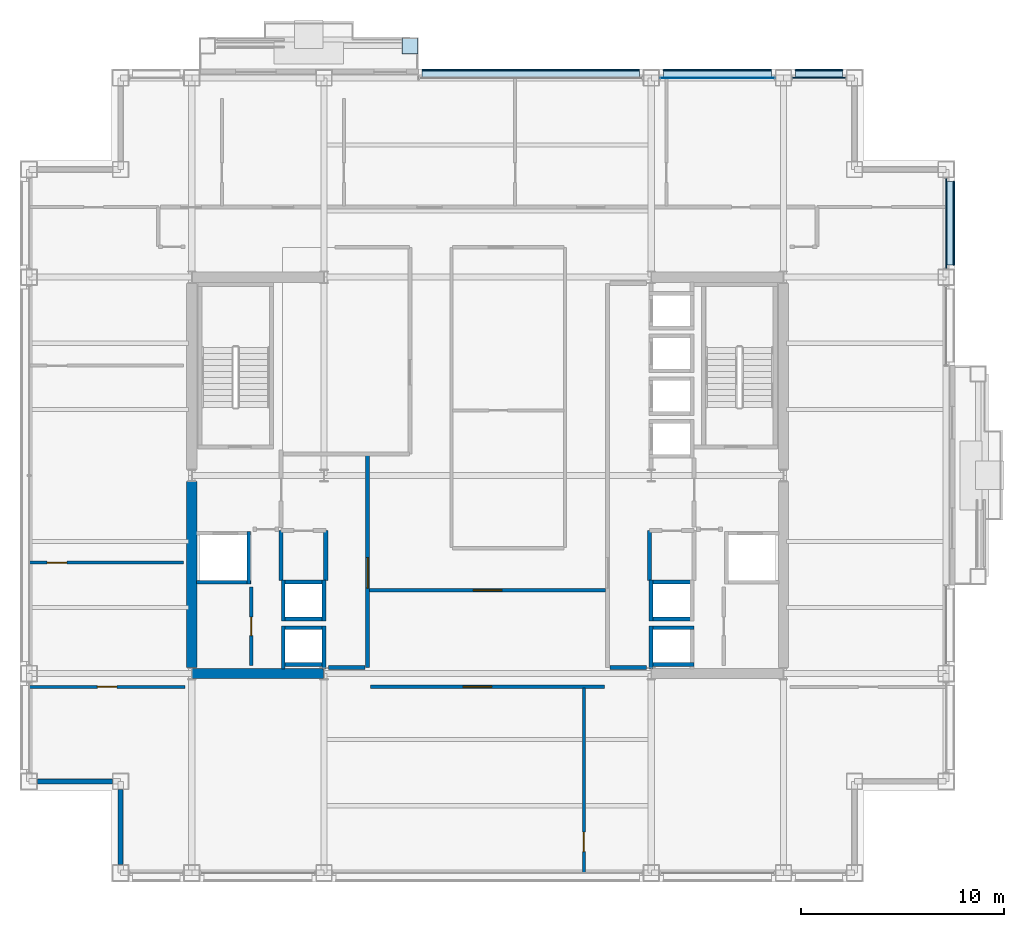
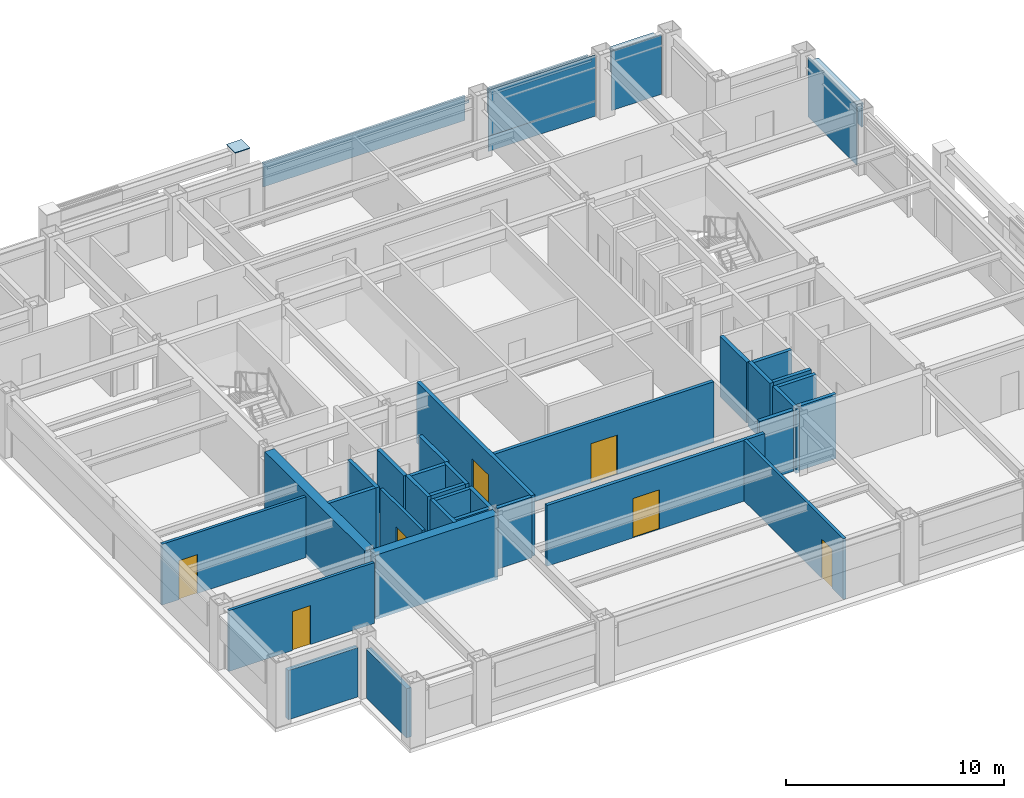
# One storey, part 24 of 29: 32 walls, 13 plates, 7 doors, 7 openings, 3 elements without a shape of their own.
"""IFC4 building model written with IfcOpenShell, lengths in metres."""

from ifc_helpers import new_model, si_unit, direction, frame, frame_2d, origin, origin_2d, place, context, subcontext, project, spatial, rectangle, extrude, material, layer, layer_set, type_object, element, fill, aggregate, save


model = new_model("IFC4")

# Units and contexts
model_context = context("Model", 3, precision=1e-05, world=origin(), true_north=direction((0.0, 1.0)))
body_context = subcontext(model_context, "Body", "Model", "MODEL_VIEW")
ifc_project = project(units=[si_unit("LENGTHUNIT", "METRE"), si_unit("AREAUNIT", "SQUARE_METRE"), si_unit("VOLUMEUNIT", "CUBIC_METRE"), si_unit("PLANEANGLEUNIT", "RADIAN"), si_unit("MASSUNIT", "GRAM", prefix="KILO")], contexts=[model_context])

# Site, building, storey
site_placement = place(None, origin())
site = spatial("IfcSite", under=ifc_project, at=site_placement, CompositionType="ELEMENT")
building_placement = place(site_placement, origin())
building = spatial("IfcBuilding", under=site, at=building_placement, Name="Brelmoor Portico Tower", CompositionType="ELEMENT")
storey_placement = place(building_placement, frame((0.0, 0.0, 138.60009765625)))
storey = spatial("IfcBuildingStorey", under=building, at=storey_placement, Name="L36", CompositionType="ELEMENT", Elevation=138.60009765625)

# Plate
ifc_material_1 = material(Name="Steel Q355B", Category="steel")
ifc_layer_1 = layer(ifc_material_1, 0.044921875)
ifc_layer_set_1 = layer_set([ifc_layer_1], Name="Steel Q355B")
plate_type_1 = type_object("IfcPlateType", Name="PT-CAP-650", PredefinedType="SHEET", material=ifc_layer_set_1)
plate_1_placement = place(storey_placement, frame((-3.820068359375, 21.1298828125, 3.599853515625), z_axis=(0.0, 0.0, 1.0), x_axis=(1.0, 0.0, 0.0)))
element("IfcPlate", 1, at=plate_1_placement, inside=storey, type_object=plate_type_1, Name="L36 Proud Picture-Frame Pier PFJ-N2 Welded Head Cap Plate", PredefinedType="SHEET", context=body_context, shape_type="SweptSolid", body=[
    extrude(rectangle(XDim=0.7900390625, YDim=0.7900390625, at=origin_2d()), origin(), (0.0, 0.0, 1.0), 0.0400390625),
])

# Curtain wall, plates
ifc_material_2 = material(Name="Anodised Aluminium Alloy 6063-T6", Category="aluminium")
ifc_layer_2 = layer(ifc_material_2, 0.179931640625)
ifc_layer_set_2 = layer_set([ifc_layer_2], Name="Anodised Aluminium Alloy 6063-T6")
curtain_wall_type_1 = type_object("IfcCurtainWallType", Name="CW-TOWER-Z2", PredefinedType="NOTDEFINED", material=ifc_layer_set_2)
curtain_wall_1_placement = place(storey_placement, origin())
curtain_wall_1 = element("IfcCurtainWall", 2, at=curtain_wall_1_placement, inside=storey, type_object=curtain_wall_type_1, Name="L36 Curtain Wall CW-L36-2R-2", PredefinedType="NOTDEFINED")
ifc_material_3 = material(Name="Double-Silver Low-E Insulated Glazing", Category="glass")
ifc_layer_3 = layer(ifc_material_3, 0.035888671875)
ifc_layer_set_3 = layer_set([ifc_layer_3], Name="Double-Silver Low-E Insulated Glazing")
plate_type_2 = type_object("IfcPlateType", Name="PT-CW-GLASS", PredefinedType="CURTAIN_PANEL", material=ifc_layer_set_3)
plate_2_placement = place(storey_placement, frame((11.300048828125, 19.550048828125, 0.85009765625), z_axis=(0.0, 0.0, 1.0), x_axis=(1.0, 0.0, 0.0)))
plate_2 = element("IfcPlate", 3, at=plate_2_placement, type_object=plate_type_2, Name="CW-L36-2R-2 Vision Glass Panel 00", PredefinedType="CURTAIN_PANEL", context=body_context, shape_type="SweptSolid", body=[
    extrude(rectangle(XDim=5.64990234375, YDim=0.035888671875, at=origin_2d()), origin(), (0.0, 0.0, 1.0), 2.550048828125),
])
ifc_material_4 = material(Name="Pale Champagne Anodised Aluminium Panel", Category="aluminium")
ifc_layer_4 = layer(ifc_material_4, 0.050048828125)
ifc_layer_set_4 = layer_set([ifc_layer_4], Name="Pale Champagne Anodised Aluminium Panel")
plate_type_3 = type_object("IfcPlateType", Name="PT-CW-SPANDREL", PredefinedType="SHEET", material=ifc_layer_set_4)
plate_3_placement = place(storey_placement, frame((11.300048828125, 19.550048828125, -0.000244140625), z_axis=(0.0, 0.0, 1.0), x_axis=(1.0, 0.0, 0.0)))
plate_3 = element("IfcPlate", 4, at=plate_3_placement, type_object=plate_type_3, Name="CW-L36-2R-2 Spandrel Panel 00", PredefinedType="SHEET", context=body_context, shape_type="SweptSolid", body=[
    extrude(rectangle(XDim=5.64990234375, YDim=0.050048828125, at=origin_2d()), origin(), (0.0, 0.0, 1.0), 0.85009765625),
])
aggregate(curtain_wall_1, [plate_3, plate_2])

# Curtain wall, plate
ifc_layer_5 = layer(ifc_material_2, 0.179931640625)
ifc_layer_set_5 = layer_set([ifc_layer_5], Name="Anodised Aluminium Alloy 6063-T6")
curtain_wall_type_2 = type_object("IfcCurtainWallType", Name="CW-TOWER-Z2-XB", PredefinedType="NOTDEFINED", material=ifc_layer_set_5)
curtain_wall_2_placement = place(storey_placement, origin())
curtain_wall_2 = element("IfcCurtainWall", 5, at=curtain_wall_2_placement, inside=storey, type_object=curtain_wall_type_2, Name="L36 Curtain Wall CW-L36-2R-3", PredefinedType="NOTDEFINED")
plate_4_placement = place(storey_placement, frame((16.300048828125, 19.550048828125, -0.000244140625), z_axis=(0.0, 0.0, 1.0), x_axis=(1.0, 0.0, 0.0)))
plate_4 = element("IfcPlate", 6, at=plate_4_placement, type_object=plate_type_3, Name="CW-L36-2R-3 Spandrel Panel 00", PredefinedType="SHEET", context=body_context, shape_type="SweptSolid", body=[
    extrude(rectangle(XDim=2.64990234375, YDim=0.050048828125, at=origin_2d()), origin(), (0.0, 0.0, 1.0), 3.330078125),
])
aggregate(curtain_wall_2, [plate_4])

curtain_wall_3_placement = place(storey_placement, origin())
curtain_wall_3 = element("IfcCurtainWall", 7, at=curtain_wall_3_placement, inside=storey, type_object=curtain_wall_type_2, Name="L36 Curtain Wall CW-L36-4R-2", PredefinedType="NOTDEFINED")
plate_5_placement = place(storey_placement, frame((22.550048828125, 12.39990234375, -0.000244140625), z_axis=(0.0, 0.0, 1.0), x_axis=(0.0, 1.0, 0.0)))
plate_5 = element("IfcPlate", 8, at=plate_5_placement, type_object=plate_type_3, Name="CW-L36-4R-2 Spandrel Panel 00", PredefinedType="SHEET", context=body_context, shape_type="SweptSolid", body=[
    extrude(rectangle(XDim=4.449951171875, YDim=0.050048828125, at=origin_2d()), origin(), (0.0, 0.0, 1.0), 3.330078125),
])
aggregate(curtain_wall_3, [plate_5])

# Plates
ifc_material_5 = material(Name="Powder-Coated Aluminium Shuttered Jalousie Louvre", Category="aluminium")
ifc_layer_6 = layer(ifc_material_5, 0.06005859375)
ifc_layer_set_6 = layer_set([ifc_layer_6], Name="Powder-Coated Aluminium Shuttered Jalousie Louvre")
plate_type_4 = type_object("IfcPlateType", Name="PT-JALOUSIE-SHUTTER", PredefinedType="SHEET", material=ifc_layer_set_6)
plate_6_placement = place(storey_placement, frame((2.1201171875, 19.929931640625, 1.8740234375), z_axis=(0.0, 0.0, 1.0), x_axis=(1.0, 0.0, 0.0)))
element("IfcPlate", 9, at=plate_6_placement, inside=storey, type_object=plate_type_4, Name="CW-L36-2R-1 Perforated Jalousie Solar Screen", PredefinedType="SHEET", context=body_context, shape_type="SweptSolid", body=[
    extrude(rectangle(XDim=10.679931640625, YDim=0.06494140625, at=origin_2d()), origin(), (0.0, 0.0, 1.0), 1.325927734375),
])
plate_7_placement = place(storey_placement, frame((11.300048828125, 19.929931640625, 1.8740234375), z_axis=(0.0, 0.0, 1.0), x_axis=(1.0, 0.0, 0.0)))
element("IfcPlate", 10, at=plate_7_placement, inside=storey, type_object=plate_type_4, Name="CW-L36-2R-2 Perforated Jalousie Solar Screen", PredefinedType="SHEET", context=body_context, shape_type="SweptSolid", body=[
    extrude(rectangle(XDim=5.320068359375, YDim=0.06494140625, at=origin_2d()), origin(), (0.0, 0.0, 1.0), 1.325927734375),
])
plate_8_placement = place(storey_placement, frame((16.300048828125, 19.929931640625, 1.8740234375), z_axis=(0.0, 0.0, 1.0), x_axis=(1.0, 0.0, 0.0)))
element("IfcPlate", 11, at=plate_8_placement, inside=storey, type_object=plate_type_4, Name="CW-L36-2R-3 Perforated Jalousie Solar Screen", PredefinedType="SHEET", context=body_context, shape_type="SweptSolid", body=[
    extrude(rectangle(XDim=2.320068359375, YDim=0.06494140625, at=origin_2d()), origin(), (0.0, 0.0, 1.0), 1.325927734375),
])
plate_9_placement = place(storey_placement, frame((22.929931640625, 12.39990234375, 1.8740234375), z_axis=(0.0, 0.0, 1.0), x_axis=(0.0, 1.0, 0.0)))
element("IfcPlate", 12, at=plate_9_placement, inside=storey, type_object=plate_type_4, Name="CW-L36-4R-2 Perforated Jalousie Solar Screen", PredefinedType="SHEET", context=body_context, shape_type="SweptSolid", body=[
    extrude(rectangle(XDim=4.1201171875, YDim=0.06494140625, at=origin_2d()), origin(), (0.0, 0.0, 1.0), 1.325927734375),
])
ifc_material_6 = material(Name="Pale Champagne Perforated Aluminium Solar Screen", Category="aluminium")
ifc_layer_7 = layer(ifc_material_6, 0.054931640625)
ifc_layer_set_7 = layer_set([ifc_layer_7], Name="Pale Champagne Perforated Aluminium Solar Screen")
plate_type_5 = type_object("IfcPlateType", Name="PT-SOLAR-LOUVRE", PredefinedType="SHEET", material=ifc_layer_set_7)
plate_10_placement = place(storey_placement, frame((2.1201171875, 19.760009765625, 3.08984375), z_axis=(0.0, 0.0, 1.0), x_axis=(1.0, 0.0, 0.0)))
element("IfcPlate", 13, at=plate_10_placement, inside=storey, type_object=plate_type_5, Name="CW-L36-2R-1 Caribbean Brise-Soleil Solar Screen", PredefinedType="SHEET", context=body_context, shape_type="SweptSolid", body=[
    extrude(rectangle(XDim=10.679931640625, YDim=0.4599609375, at=origin_2d()), origin(), (0.0, 0.0, 1.0), 0.139892578125),
])
plate_11_placement = place(storey_placement, frame((11.300048828125, 19.760009765625, 3.08984375), z_axis=(0.0, 0.0, 1.0), x_axis=(1.0, 0.0, 0.0)))
element("IfcPlate", 14, at=plate_11_placement, inside=storey, type_object=plate_type_5, Name="CW-L36-2R-2 Caribbean Brise-Soleil Solar Screen", PredefinedType="SHEET", context=body_context, shape_type="SweptSolid", body=[
    extrude(rectangle(XDim=5.320068359375, YDim=0.4599609375, at=origin_2d()), origin(), (0.0, 0.0, 1.0), 0.139892578125),
])
plate_12_placement = place(storey_placement, frame((16.300048828125, 19.760009765625, 3.08984375), z_axis=(0.0, 0.0, 1.0), x_axis=(1.0, 0.0, 0.0)))
element("IfcPlate", 15, at=plate_12_placement, inside=storey, type_object=plate_type_5, Name="CW-L36-2R-3 Caribbean Brise-Soleil Solar Screen", PredefinedType="SHEET", context=body_context, shape_type="SweptSolid", body=[
    extrude(rectangle(XDim=2.320068359375, YDim=0.4599609375, at=origin_2d()), origin(), (0.0, 0.0, 1.0), 0.139892578125),
])
plate_13_placement = place(storey_placement, frame((22.760009765625, 12.39990234375, 3.08984375), z_axis=(0.0, 0.0, 1.0), x_axis=(0.0, 1.0, 0.0)))
element("IfcPlate", 16, at=plate_13_placement, inside=storey, type_object=plate_type_5, Name="CW-L36-4R-2 Caribbean Brise-Soleil Solar Screen", PredefinedType="SHEET", context=body_context, shape_type="SweptSolid", body=[
    extrude(rectangle(XDim=4.1201171875, YDim=0.4599609375, at=origin_2d()), origin(), (0.0, 0.0, 1.0), 0.139892578125),
])

# Walls
ifc_material_7 = material(Name="Concrete C60", Category="concrete")
ifc_layer_8 = layer(ifc_material_7, 0.5)
ifc_layer_set_8 = layer_set([ifc_layer_8], Name="Concrete C60")
wall_type_1 = type_object("IfcWallType", Name="WL-CORE-500", PredefinedType="SHEAR", material=ifc_layer_set_8)
wall_1_placement = place(storey_placement, frame((-14.530029296875, -9.75, -0.2001953125), z_axis=(0.0, 0.0, 1.0), x_axis=(1.0, 0.0, 0.0)))
element("IfcWall", 17, at=wall_1_placement, inside=storey, type_object=wall_type_1, Name="L36 WC South Shear Wall", PredefinedType="SHEAR", context=body_context, shape_type="SweptSolid", body=[
    extrude(rectangle(XDim=6.4599609375, YDim=0.5, at=frame_2d((3.22998046875, 0.0))), origin(), (0.0, 0.0, 1.0), 3.60009765625),
])
wall_2_placement = place(storey_placement, frame((-14.550048828125, -9.449951171875, -0.2001953125), z_axis=(0.0, 0.0, 1.0), x_axis=(0.0, 1.0, 0.0)))
element("IfcWall", 18, at=wall_2_placement, inside=storey, type_object=wall_type_1, Name="L36 WC Outer South Shear Wall", PredefinedType="SHEAR", context=body_context, shape_type="SweptSolid", body=[
    extrude(rectangle(XDim=9.14990234375, YDim=0.5, at=frame_2d((4.574951171875, 0.0))), origin(), (0.0, 0.0, 1.0), 3.60009765625),
])
ifc_material_8 = material(Name="Precast Concrete C40 Insulated Facade Wall", Category="concrete")
ifc_layer_9 = layer(ifc_material_8, 0.25)
ifc_layer_set_9 = layer_set([ifc_layer_9], Name="Precast Concrete C40 Insulated Facade Wall")
wall_type_2 = type_object("IfcWallType", Name="WL-EXT-250", PredefinedType="STANDARD", material=ifc_layer_set_9)
for number, where, z_axis, x_axis, name in (
    (19, (-22.139892578125, -15.050048828125, 0.0), (0.0, 0.0, 1.0), (1.0, 0.0, 0.0), "L36 Corner Notch Facade Wall NSWH1"),
    (20, (-18.050048828125, -19.139892578125, 0.0), (0.0, 0.0, 1.0), (0.0, 1.0, 0.0), "L36 Corner Notch Facade Wall NSWV1"),
):
    element("IfcWall", number, at=place(storey_placement, frame(where, z_axis=z_axis, x_axis=x_axis)), inside=storey, type_object=wall_type_2, Name=name, PredefinedType="STANDARD", context=body_context, shape_type="SweptSolid", body=[
        extrude(rectangle(XDim=3.679931640625, YDim=0.25, at=frame_2d((1.83984375, 0.0))), origin(), (0.0, 0.0, 1.0), 2.75),
    ])

# Wall, opening, door
ifc_material_9 = material(Name="Wet-Area Moisture-Resistant Partition", Category="gypsum")
ifc_layer_10 = layer(ifc_material_9, 0.14990234375)
ifc_layer_set_10 = layer_set([ifc_layer_10], Name="Wet-Area Moisture-Resistant Partition")
wall_type_3 = type_object("IfcWallType", Name="WL-PART-150", PredefinedType="PARTITIONING", material=ifc_layer_set_10)
wall_3_placement = place(storey_placement, frame((4.73486328125, -19.56005859375, 0.0), z_axis=(0.0, 0.0, 1.0), x_axis=(0.0, 1.0, 0.0)))
wall_3 = element("IfcWall", 21, at=wall_3_placement, inside=storey, type_object=wall_type_3, Name="L36 South Suite Partition 1", PredefinedType="PARTITIONING", context=body_context, shape_type="SweptSolid", body=[
    extrude(rectangle(XDim=9.10009765625, YDim=0.14990234375, at=frame_2d((4.550048828125, 0.0))), origin(), (0.0, 0.0, 1.0), 3.39990234375),
])
opening_1_placement = place(wall_3_placement, frame((1.050048828125, 0.0, 0.0)))
opening_1 = element("IfcOpeningElement", 22, at=opening_1_placement, cuts=wall_3, Name="Opening D-IN2", PredefinedType="OPENING", context=body_context, shape_type="SweptSolid", body=[
    extrude(rectangle(XDim=0.9599609375, YDim=2.179931640625, at=frame_2d((0.47998046875, 1.08984375))), frame((0.0, 0.0849609375, 0.0), z_axis=(0.0, -1.0, 0.0), x_axis=(1.0, 0.0, 0.0)), (0.0, 0.0, 1.0), 0.169921875),
])
ifc_material_10 = material(Name="Lacquered Timber Suite Door", Category="wood")
door_type_1 = type_object("IfcDoorType", Name="DR-INT-950", OperationType="NOTDEFINED", PredefinedType="DOOR", material=ifc_material_10)
door_1_placement = place(opening_1_placement, origin())
door_1 = element("IfcDoor", 23, at=door_1_placement, inside=storey, type_object=door_type_1, Name="D-1583 L36 South Suite Connecting Door 1", OperationType="SINGLE_SWING_RIGHT", OverallHeight=2.179931640625, OverallWidth=0.9599609375, PredefinedType="DOOR", context=body_context, shape_type="SweptSolid", body=[
    extrude(rectangle(XDim=0.9599609375, YDim=2.179931640625, at=frame_2d((0.47998046875, 1.08984375))), frame((0.0, 0.02490234375, 0.0), z_axis=(0.0, -1.0, 0.0), x_axis=(1.0, 0.0, 0.0)), (0.0, 0.0, 1.0), 0.050048828125),
])
fill(opening_1, door_1)

wall_4_placement = place(storey_placement, frame((-22.56005859375, -10.39990234375, 0.0), z_axis=(0.0, 0.0, 1.0), x_axis=(1.0, 0.0, 0.0)))
wall_4 = element("IfcWall", 24, at=wall_4_placement, inside=storey, type_object=wall_type_3, Name="L36 South Wing Closure WL", PredefinedType="PARTITIONING", context=body_context, shape_type="SweptSolid", body=[
    extrude(rectangle(XDim=7.68017578125, YDim=0.14990234375, at=frame_2d((3.840087890625, 0.0))), origin(), (0.0, 0.0, 1.0), 3.39990234375),
])
opening_2_placement = place(wall_4_placement, frame((3.360107421875, 0.0, 0.0)))
opening_2 = element("IfcOpeningElement", 25, at=opening_2_placement, cuts=wall_4, Name="Opening D-IN2", PredefinedType="OPENING", context=body_context, shape_type="SweptSolid", body=[
    extrude(rectangle(XDim=0.9599609375, YDim=2.179931640625, at=frame_2d((0.47998046875, 1.08984375))), frame((0.0, 0.0849609375, 0.0), z_axis=(0.0, -1.0, 0.0), x_axis=(1.0, 0.0, 0.0)), (0.0, 0.0, 1.0), 0.169921875),
])
door_2_placement = place(opening_2_placement, origin())
door_2 = element("IfcDoor", 26, at=door_2_placement, inside=storey, type_object=door_type_1, Name="D-1587 L36 WL Wing South Suite Door", OperationType="SINGLE_SWING_LEFT", OverallHeight=2.179931640625, OverallWidth=0.9599609375, PredefinedType="DOOR", context=body_context, shape_type="SweptSolid", body=[
    extrude(rectangle(XDim=0.9599609375, YDim=2.179931640625, at=frame_2d((0.47998046875, 1.08984375))), frame((0.0, 0.02490234375, 0.0), z_axis=(0.0, -1.0, 0.0), x_axis=(1.0, 0.0, 0.0)), (0.0, 0.0, 1.0), 0.050048828125),
])
fill(opening_2, door_2)

wall_5_placement = place(storey_placement, frame((-22.56005859375, -4.288818359375, 0.0), z_axis=(0.0, 0.0, 1.0), x_axis=(1.0, 0.0, 0.0)))
wall_5 = element("IfcWall", 27, at=wall_5_placement, inside=storey, type_object=wall_type_3, Name="L36 W Wing Partition 1", PredefinedType="PARTITIONING", context=body_context, shape_type="SweptSolid", body=[
    extrude(rectangle(XDim=7.60009765625, YDim=0.14990234375, at=frame_2d((3.800048828125, 0.0))), origin(), (0.0, 0.0, 1.0), 3.39990234375),
])
opening_3_placement = place(wall_5_placement, frame((0.89990234375, 0.0, 0.0)))
opening_3 = element("IfcOpeningElement", 28, at=opening_3_placement, cuts=wall_5, Name="Opening D-IN2", PredefinedType="OPENING", context=body_context, shape_type="SweptSolid", body=[
    extrude(rectangle(XDim=0.9599609375, YDim=2.179931640625, at=frame_2d((0.47998046875, 1.08984375))), frame((0.0, 0.0849609375, 0.0), z_axis=(0.0, -1.0, 0.0), x_axis=(1.0, 0.0, 0.0)), (0.0, 0.0, 1.0), 0.169921875),
])
door_3_placement = place(opening_3_placement, origin())
door_3 = element("IfcDoor", 29, at=door_3_placement, inside=storey, type_object=door_type_1, Name="D-1592 L36 W Wing Suite Connecting Door 1", OperationType="SINGLE_SWING_RIGHT", OverallHeight=2.179931640625, OverallWidth=0.9599609375, PredefinedType="DOOR", context=body_context, shape_type="SweptSolid", body=[
    extrude(rectangle(XDim=0.9599609375, YDim=2.179931640625, at=frame_2d((0.47998046875, 1.08984375))), frame((0.0, 0.02490234375, 0.0), z_axis=(0.0, -1.0, 0.0), x_axis=(1.0, 0.0, 0.0)), (0.0, 0.0, 1.0), 0.050048828125),
])
fill(opening_3, door_3)

ifc_material_11 = material(Name="Twin-Frame Acoustic Partition", Category="gypsum")
ifc_layer_11 = layer(ifc_material_11, 0.159912109375)
ifc_layer_set_11 = layer_set([ifc_layer_11], Name="Twin-Frame Acoustic Partition")
wall_type_4 = type_object("IfcWallType", Name="WL-PART-160", PredefinedType="PARTITIONING", material=ifc_layer_set_11)
wall_6_placement = place(storey_placement, frame((-11.6201171875, -9.35009765625, 0.0), z_axis=(0.0, 0.0, 1.0), x_axis=(0.0, 1.0, 0.0)))
wall_6 = element("IfcWall", 30, at=wall_6_placement, inside=storey, type_object=wall_type_4, Name="L36 W Core Service Front Wall", PredefinedType="PARTITIONING", context=body_context, shape_type="SweptSolid", body=[
    extrude(rectangle(XDim=3.85009765625, YDim=0.159912109375, at=frame_2d((1.925048828125, 0.0))), origin(), (0.0, 0.0, 1.0), 3.39990234375),
])
opening_4_placement = place(wall_6_placement, frame((1.47509765625, 0.0, 0.0)))
opening_4 = element("IfcOpeningElement", 31, at=opening_4_placement, cuts=wall_6, Name="Opening D-IN1", PredefinedType="OPENING", context=body_context, shape_type="SweptSolid", body=[
    extrude(rectangle(XDim=0.89990234375, YDim=2.14990234375, at=frame_2d((0.449951171875, 1.074951171875))), frame((0.0, 0.08984375, 0.0), z_axis=(0.0, -1.0, 0.0), x_axis=(1.0, 0.0, 0.0)), (0.0, 0.0, 1.0), 0.179931640625),
])
door_type_2 = type_object("IfcDoorType", Name="DR-INT-900", OperationType="NOTDEFINED", PredefinedType="DOOR", material=ifc_material_10)
door_4_placement = place(opening_4_placement, origin())
door_4 = element("IfcDoor", 32, at=door_4_placement, inside=storey, type_object=door_type_2, Name="D-1563 L36 W Accessible WC Door", OperationType="SINGLE_SWING_RIGHT", OverallHeight=2.14990234375, OverallWidth=0.89990234375, PredefinedType="DOOR", context=body_context, shape_type="SweptSolid", body=[
    extrude(rectangle(XDim=0.89990234375, YDim=2.14990234375, at=frame_2d((0.449951171875, 1.074951171875))), frame((0.0, 0.02490234375, 0.0), z_axis=(0.0, -1.0, 0.0), x_axis=(1.0, 0.0, 0.0)), (0.0, 0.0, 1.0), 0.050048828125),
])
fill(opening_4, door_4)

ifc_material_12 = material(Name="Acoustic Corridor Fire Partition", Category="gypsum")
ifc_layer_12 = layer(ifc_material_12, 0.179931640625)
ifc_layer_set_12 = layer_set([ifc_layer_12], Name="Acoustic Corridor Fire Partition")
wall_type_5 = type_object("IfcWallType", Name="WL-PART-180", PredefinedType="PARTITIONING", material=ifc_layer_set_12)
wall_7_placement = place(storey_placement, frame((-5.800048828125, -5.64990234375, 0.0), z_axis=(0.0, 0.0, 1.0), x_axis=(1.0, 0.0, 0.0)))
wall_7 = element("IfcWall", 33, at=wall_7_placement, inside=storey, type_object=wall_type_5, Name="L36 South Hub Corridor Wall", PredefinedType="PARTITIONING", context=body_context, shape_type="SweptSolid", body=[
    extrude(rectangle(XDim=11.60009765625, YDim=0.179931640625, at=frame_2d((5.800048828125, 0.0))), origin(), (0.0, 0.0, 1.0), 3.39990234375),
])
opening_5_placement = place(wall_7_placement, frame((5.10009765625, 0.0, 0.0)))
opening_5 = element("IfcOpeningElement", 34, at=opening_5_placement, cuts=wall_7, Name="Opening D-SU2", PredefinedType="OPENING", context=body_context, shape_type="SweptSolid", body=[
    extrude(rectangle(XDim=1.39990234375, YDim=2.199951171875, at=frame_2d((0.699951171875, 1.10009765625))), frame((0.0, 0.099853515625, 0.0), z_axis=(0.0, -1.0, 0.0), x_axis=(1.0, 0.0, 0.0)), (0.0, 0.0, 1.0), 0.199951171875),
])
ifc_material_13 = material(Name="Double-Leaf Acoustic Suite Door", Category="timber")
door_type_3 = type_object("IfcDoorType", Name="DR-SUITE-1400", OperationType="NOTDEFINED", PredefinedType="DOOR", material=ifc_material_13)
door_5_placement = place(opening_5_placement, origin())
door_5 = element("IfcDoor", 35, at=door_5_placement, inside=storey, type_object=door_type_3, Name="D-1557 L36 South Reception Hub Door", OperationType="DOUBLE_DOOR_SINGLE_SWING", OverallHeight=2.199951171875, OverallWidth=1.39990234375, PredefinedType="DOOR", context=body_context, shape_type="SweptSolid", body=[
    extrude(rectangle(XDim=1.39990234375, YDim=2.199951171875, at=frame_2d((0.699951171875, 1.10009765625))), frame((0.0, 0.02490234375, 0.0), z_axis=(0.0, -1.0, 0.0), x_axis=(1.0, 0.0, 0.0)), (0.0, 0.0, 1.0), 0.050048828125),
])
fill(opening_5, door_5)

wall_8_placement = place(storey_placement, frame((-5.75, -10.39990234375, 0.0), z_axis=(0.0, 0.0, 1.0), x_axis=(1.0, 0.0, 0.0)))
wall_8 = element("IfcWall", 36, at=wall_8_placement, inside=storey, type_object=wall_type_5, Name="L36 South Corridor Partition", PredefinedType="PARTITIONING", context=body_context, shape_type="SweptSolid", body=[
    extrude(rectangle(XDim=11.5, YDim=0.179931640625, at=frame_2d((5.75, 0.0))), origin(), (0.0, 0.0, 1.0), 3.39990234375),
])
opening_6_placement = place(wall_8_placement, frame((4.54248046875, 0.0, 0.0)))
opening_6 = element("IfcOpeningElement", 37, at=opening_6_placement, cuts=wall_8, Name="Opening D-SU2", PredefinedType="OPENING", context=body_context, shape_type="SweptSolid", body=[
    extrude(rectangle(XDim=1.39990234375, YDim=2.199951171875, at=frame_2d((0.699951171875, 1.10009765625))), frame((0.0, 0.099853515625, 0.0), z_axis=(0.0, -1.0, 0.0), x_axis=(1.0, 0.0, 0.0)), (0.0, 0.0, 1.0), 0.199951171875),
])
door_6_placement = place(opening_6_placement, origin())
door_6 = element("IfcDoor", 38, at=door_6_placement, inside=storey, type_object=door_type_3, Name="D-1582 L36 South Open-Plan Office 1 Door", OperationType="DOUBLE_DOOR_SINGLE_SWING", OverallHeight=2.199951171875, OverallWidth=1.39990234375, PredefinedType="DOOR", context=body_context, shape_type="SweptSolid", body=[
    extrude(rectangle(XDim=1.39990234375, YDim=2.199951171875, at=frame_2d((0.699951171875, 1.10009765625))), frame((0.0, 0.02490234375, 0.0), z_axis=(0.0, -1.0, 0.0), x_axis=(1.0, 0.0, 0.0)), (0.0, 0.0, 1.0), 0.050048828125),
])
fill(opening_6, door_6)

ifc_material_14 = material(Name="Double-Stud Gypsum Fire Partition", Category="gypsum")
ifc_layer_13 = layer(ifc_material_14, 0.199951171875)
ifc_layer_set_13 = layer_set([ifc_layer_13], Name="Double-Stud Gypsum Fire Partition")
wall_type_6 = type_object("IfcWallType", Name="WL-PART-200", PredefinedType="PARTITIONING", material=ifc_layer_set_13)
wall_9_placement = place(storey_placement, frame((-5.89990234375, -9.449951171875, 0.0), z_axis=(0.0, 0.0, 1.0), x_axis=(0.0, 1.0, 0.0)))
wall_9 = element("IfcWall", 39, at=wall_9_placement, inside=storey, type_object=wall_type_6, Name="L36 W Core Lobby Compartment Wall", PredefinedType="PARTITIONING", context=body_context, shape_type="SweptSolid", body=[
    extrude(rectangle(XDim=10.5, YDim=0.199951171875, at=frame_2d((5.25, 0.0))), origin(), (0.0, 0.0, 1.0), 3.39990234375),
])
opening_7_placement = place(wall_9_placement, frame((3.89990234375, 0.0, 0.0)))
opening_7 = element("IfcOpeningElement", 40, at=opening_7_placement, cuts=wall_9, Name="Opening D-LB1", PredefinedType="OPENING", context=body_context, shape_type="SweptSolid", body=[
    extrude(rectangle(XDim=1.5, YDim=2.199951171875, at=frame_2d((0.75, 1.10009765625))), frame((0.0, 0.10986328125, 0.0), z_axis=(0.0, -1.0, 0.0), x_axis=(1.0, 0.0, 0.0)), (0.0, 0.0, 1.0), 0.219970703125),
])
ifc_material_15 = material(Name="Double-Leaf Glazed Steel Fire Door", Category="steel")
door_type_4 = type_object("IfcDoorType", Name="DR-LOBBY-1500", OperationType="NOTDEFINED", PredefinedType="DOOR", material=ifc_material_15)
door_7_placement = place(opening_7_placement, origin())
door_7 = element("IfcDoor", 41, at=door_7_placement, inside=storey, type_object=door_type_4, Name="D-1569 L36 W Lift Lobby Main Door", OperationType="DOUBLE_DOOR_SINGLE_SWING", OverallHeight=2.199951171875, OverallWidth=1.5, PredefinedType="DOOR", context=body_context, shape_type="SweptSolid", body=[
    extrude(rectangle(XDim=1.5, YDim=2.199951171875, at=frame_2d((0.75, 1.10009765625))), frame((0.0, 0.02490234375, 0.0), z_axis=(0.0, -1.0, 0.0), x_axis=(1.0, 0.0, 0.0)), (0.0, 0.0, 1.0), 0.050048828125),
])
fill(opening_7, door_7)

# Walls
wall_10_placement = place(storey_placement, frame((-6.02001953125, -9.449951171875, 0.0), z_axis=(0.0, 0.0, 1.0), x_axis=(-1.0, 0.0, 0.0)))
element("IfcWall", 42, at=wall_10_placement, inside=storey, type_object=wall_type_6, Name="L36 W Lift Lobby South End Wall", PredefinedType="PARTITIONING", context=body_context, shape_type="SweptSolid", body=[
    extrude(rectangle(XDim=1.800048828125, YDim=0.199951171875, at=frame_2d((0.89990234375, 0.0))), origin(), (0.0, 0.0, 1.0), 3.39990234375),
])
for number, where, z_axis, x_axis, name in (
    (43, (-7.9599609375, -5.159912109375, 0.0), (0.0, 0.0, 1.0), (0.0, 1.0, 0.0), "L36 W Electrical Switchgear Closet Inner Wall"),
    (44, (-10.159912109375, -5.159912109375, 0.0), (0.0, 0.0, 1.0), (0.0, 1.0, 0.0), "L36 W Electrical Switchgear Closet Outer Wall"),
):
    element("IfcWall", number, at=place(storey_placement, frame(where, z_axis=z_axis, x_axis=x_axis)), inside=storey, type_object=wall_type_6, Name=name, PredefinedType="PARTITIONING", context=body_context, shape_type="SweptSolid", body=[
        extrude(rectangle(XDim=2.43994140625, YDim=0.199951171875, at=frame_2d((1.219970703125, 0.0))), origin(), (0.0, 0.0, 1.0), 3.39990234375),
    ])
wall_11_placement = place(storey_placement, frame((6.02001953125, -9.449951171875, 0.0), z_axis=(0.0, 0.0, 1.0), x_axis=(1.0, 0.0, 0.0)))
element("IfcWall", 45, at=wall_11_placement, inside=storey, type_object=wall_type_6, Name="L36 E Lift Lobby South End Wall", PredefinedType="PARTITIONING", context=body_context, shape_type="SweptSolid", body=[
    extrude(rectangle(XDim=1.800048828125, YDim=0.199951171875, at=frame_2d((0.89990234375, 0.0))), origin(), (0.0, 0.0, 1.0), 3.39990234375),
])
wall_12_placement = place(storey_placement, frame((7.9599609375, -5.159912109375, 0.0), z_axis=(0.0, 0.0, 1.0), x_axis=(0.0, 1.0, 0.0)))
element("IfcWall", 46, at=wall_12_placement, inside=storey, type_object=wall_type_6, Name="L36 E Electrical Switchgear Closet Inner Wall", PredefinedType="PARTITIONING", context=body_context, shape_type="SweptSolid", body=[
    extrude(rectangle(XDim=2.43994140625, YDim=0.199951171875, at=frame_2d((1.219970703125, 0.0))), origin(), (0.0, 0.0, 1.0), 3.39990234375),
])
ifc_material_16 = material(Name="Precast Concrete C40", Category="concrete")
ifc_layer_14 = layer(ifc_material_16, 0.18994140625)
ifc_layer_set_14 = layer_set([ifc_layer_14], Name="Precast Concrete C40")
wall_type_7 = type_object("IfcWallType", Name="WL-SHAFT-180", PredefinedType="SOLIDWALL", material=ifc_layer_set_14)
for number, where, z_axis, x_axis, name in (
    (47, (-8.044921875, -9.52001953125, -0.2001953125), (0.0, 0.0, 1.0), (0.0, 1.0, 0.0), "L36 Lift PH1 Hoistway Front Wall"),
    (48, (-10.054931640625, -9.52001953125, -0.2001953125), (0.0, 0.0, 1.0), (0.0, 1.0, 0.0), "L36 Lift PH1 Hoistway Back Wall"),
):
    element("IfcWall", number, at=place(storey_placement, frame(where, z_axis=z_axis, x_axis=x_axis)), inside=storey, type_object=wall_type_7, Name=name, PredefinedType="SOLIDWALL", context=body_context, shape_type="SweptSolid", body=[
        extrude(rectangle(XDim=2.1201171875, YDim=0.18994140625, at=frame_2d((1.06005859375, 0.0))), origin(), (0.0, 0.0, 1.0), 3.60009765625),
    ])
for number, where, z_axis, x_axis, name in (
    (49, (-10.14990234375, -7.4951171875, -0.2001953125), (0.0, 0.0, 1.0), (1.0, 0.0, 0.0), "L36 Lift PH1 Hoistway North Wall"),
    (50, (-10.14990234375, -9.304931640625, -0.2001953125), (0.0, 0.0, 1.0), (1.0, 0.0, 0.0), "L36 Lift PH1 Hoistway South Wall"),
):
    element("IfcWall", number, at=place(storey_placement, frame(where, z_axis=z_axis, x_axis=x_axis)), inside=storey, type_object=wall_type_7, Name=name, PredefinedType="SOLIDWALL", context=body_context, shape_type="SweptSolid", body=[
        extrude(rectangle(XDim=2.199951171875, YDim=0.18994140625, at=frame_2d((1.10009765625, 0.0))), origin(), (0.0, 0.0, 1.0), 3.60009765625),
    ])
for number, where, z_axis, x_axis, name in (
    (51, (-8.044921875, -7.14990234375, -0.2001953125), (0.0, 0.0, 1.0), (0.0, 1.0, 0.0), "L36 Lift PH2 Hoistway Front Wall"),
    (52, (-10.054931640625, -7.14990234375, -0.2001953125), (0.0, 0.0, 1.0), (0.0, 1.0, 0.0), "L36 Lift PH2 Hoistway Back Wall"),
):
    element("IfcWall", number, at=place(storey_placement, frame(where, z_axis=z_axis, x_axis=x_axis)), inside=storey, type_object=wall_type_7, Name=name, PredefinedType="SOLIDWALL", context=body_context, shape_type="SweptSolid", body=[
        extrude(rectangle(XDim=2.0, YDim=0.18994140625, at=frame_2d((1.0, 0.0))), origin(), (0.0, 0.0, 1.0), 3.60009765625),
    ])
for number, where, z_axis, x_axis, name in (
    (53, (-10.14990234375, -5.2451171875, -0.2001953125), (0.0, 0.0, 1.0), (1.0, 0.0, 0.0), "L36 Lift PH2 Hoistway North Wall"),
    (54, (-10.14990234375, -7.054931640625, -0.2001953125), (0.0, 0.0, 1.0), (1.0, 0.0, 0.0), "L36 Lift PH2 Hoistway South Wall"),
):
    element("IfcWall", number, at=place(storey_placement, frame(where, z_axis=z_axis, x_axis=x_axis)), inside=storey, type_object=wall_type_7, Name=name, PredefinedType="SOLIDWALL", context=body_context, shape_type="SweptSolid", body=[
        extrude(rectangle(XDim=2.199951171875, YDim=0.18994140625, at=frame_2d((1.10009765625, 0.0))), origin(), (0.0, 0.0, 1.0), 3.60009765625),
    ])
wall_13_placement = place(storey_placement, frame((8.044921875, -9.52001953125, -0.2001953125), z_axis=(0.0, 0.0, 1.0), x_axis=(0.0, 1.0, 0.0)))
element("IfcWall", 55, at=wall_13_placement, inside=storey, type_object=wall_type_7, Name="L36 Lift PH3 Hoistway Front Wall", PredefinedType="SOLIDWALL", context=body_context, shape_type="SweptSolid", body=[
    extrude(rectangle(XDim=2.1201171875, YDim=0.18994140625, at=frame_2d((1.06005859375, 0.0))), origin(), (0.0, 0.0, 1.0), 3.60009765625),
])
for number, where, z_axis, x_axis, name in (
    (56, (7.949951171875, -7.4951171875, -0.2001953125), (0.0, 0.0, 1.0), (1.0, 0.0, 0.0), "L36 Lift PH3 Hoistway North Wall"),
    (57, (7.949951171875, -9.304931640625, -0.2001953125), (0.0, 0.0, 1.0), (1.0, 0.0, 0.0), "L36 Lift PH3 Hoistway South Wall"),
):
    element("IfcWall", number, at=place(storey_placement, frame(where, z_axis=z_axis, x_axis=x_axis)), inside=storey, type_object=wall_type_7, Name=name, PredefinedType="SOLIDWALL", context=body_context, shape_type="SweptSolid", body=[
        extrude(rectangle(XDim=2.199951171875, YDim=0.18994140625, at=frame_2d((1.10009765625, 0.0))), origin(), (0.0, 0.0, 1.0), 3.60009765625),
    ])
wall_14_placement = place(storey_placement, frame((8.044921875, -7.14990234375, -0.2001953125), z_axis=(0.0, 0.0, 1.0), x_axis=(0.0, 1.0, 0.0)))
element("IfcWall", 58, at=wall_14_placement, inside=storey, type_object=wall_type_7, Name="L36 Lift PH4 Hoistway Front Wall", PredefinedType="SOLIDWALL", context=body_context, shape_type="SweptSolid", body=[
    extrude(rectangle(XDim=2.0, YDim=0.18994140625, at=frame_2d((1.0, 0.0))), origin(), (0.0, 0.0, 1.0), 3.60009765625),
])
for number, where, z_axis, x_axis, name in (
    (59, (7.949951171875, -5.2451171875, -0.2001953125), (0.0, 0.0, 1.0), (1.0, 0.0, 0.0), "L36 Lift PH4 Hoistway North Wall"),
    (60, (7.949951171875, -7.054931640625, -0.2001953125), (0.0, 0.0, 1.0), (1.0, 0.0, 0.0), "L36 Lift PH4 Hoistway South Wall"),
):
    element("IfcWall", number, at=place(storey_placement, frame(where, z_axis=z_axis, x_axis=x_axis)), inside=storey, type_object=wall_type_7, Name=name, PredefinedType="SOLIDWALL", context=body_context, shape_type="SweptSolid", body=[
        extrude(rectangle(XDim=2.199951171875, YDim=0.18994140625, at=frame_2d((1.10009765625, 0.0))), origin(), (0.0, 0.0, 1.0), 3.60009765625),
    ])
wall_15_placement = place(storey_placement, frame((-14.330078125, -5.2548828125, -0.2001953125), z_axis=(0.0, 0.0, 1.0), x_axis=(1.0, 0.0, 0.0)))
element("IfcWall", 61, at=wall_15_placement, inside=storey, type_object=wall_type_7, Name="L36 Firefighting Lift FF1 South Wall", PredefinedType="SOLIDWALL", context=body_context, shape_type="SweptSolid", body=[
    extrude(rectangle(XDim=2.68017578125, YDim=0.18994140625, at=frame_2d((1.340087890625, 0.0))), origin(), (0.0, 0.0, 1.0), 3.60009765625),
])
wall_16_placement = place(storey_placement, frame((-11.7451171875, -5.35009765625, -0.2001953125), z_axis=(0.0, 0.0, 1.0), x_axis=(0.0, 1.0, 0.0)))
element("IfcWall", 62, at=wall_16_placement, inside=storey, type_object=wall_type_7, Name="L36 Firefighting Lift FF1 Inner Wall", PredefinedType="SOLIDWALL", context=body_context, shape_type="SweptSolid", body=[
    extrude(rectangle(XDim=2.60009765625, YDim=0.18994140625, at=frame_2d((1.300048828125, 0.0))), origin(), (0.0, 0.0, 1.0), 3.60009765625),
])

save(model, "model.ifc")
